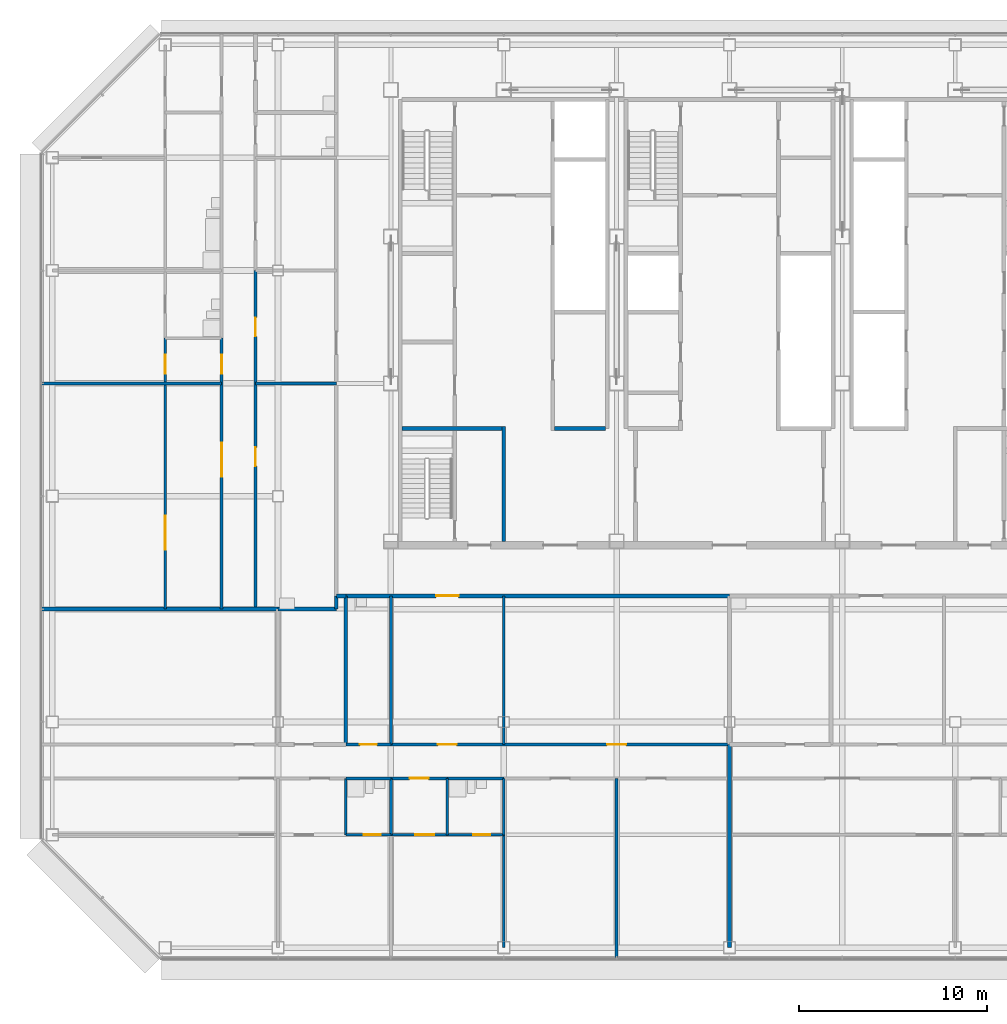
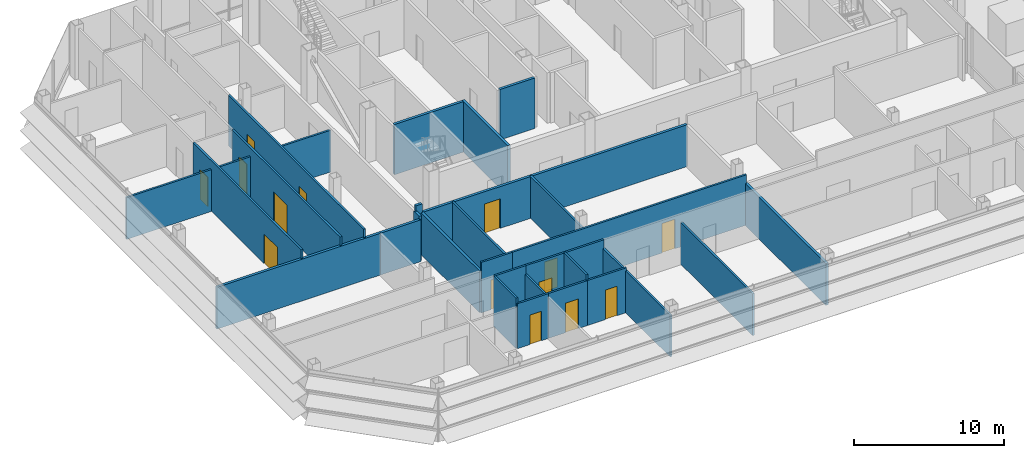
# One storey, part 22 of 30: 31 walls, 14 doors, 14 openings.
"""IFC4 building model written with IfcOpenShell, lengths in metres."""

from ifc_helpers import new_model, si_unit, direction, frame, frame_2d, origin, place, context, subcontext, project, spatial, rectangle, extrude, material, layer, layer_set, type_object, element, fill, save


model = new_model("IFC4")

# Units and contexts
model_context = context("Model", 3, precision=1e-05, world=origin(), true_north=direction((0.0, 1.0)))
body_context = subcontext(model_context, "Body", "Model", "MODEL_VIEW")
ifc_project = project(units=[si_unit("LENGTHUNIT", "METRE"), si_unit("AREAUNIT", "SQUARE_METRE"), si_unit("VOLUMEUNIT", "CUBIC_METRE"), si_unit("PLANEANGLEUNIT", "RADIAN"), si_unit("MASSUNIT", "GRAM", prefix="KILO")], contexts=[model_context])

# Site, building, storey
site_placement = place(None, origin())
site = spatial("IfcSite", under=ifc_project, at=site_placement, CompositionType="ELEMENT")
building_placement = place(site_placement, origin())
building = spatial("IfcBuilding", under=site, at=building_placement, Name="Sorahane Residences", CompositionType="ELEMENT")
storey_placement = place(building_placement, frame((0.0, 0.0, 229.800048828125)))
storey = spatial("IfcBuildingStorey", under=building, at=storey_placement, Name="L54", CompositionType="ELEMENT", Elevation=229.800048828125)

# Wall, opening, door
ifc_material_1 = material(Name="Concrete blockwork C20 wall", Category="masonry")
ifc_layer_1 = layer(ifc_material_1, 0.199951171875)
ifc_layer_set_1 = layer_set([ifc_layer_1], Name="Corridor wall 200 EI 120")
wall_type_1 = type_object("IfcWallType", Name="Corridor wall 200 EI 120", PredefinedType="SOLIDWALL", material=ifc_layer_set_1)
wall_1_placement = place(storey_placement, frame((3.60009765625, 18.699951171875, 0.0), z_axis=(0.0, 0.0, 1.0), x_axis=(1.0, 0.0, 0.0)))
wall_1 = element("IfcWall", 1, at=wall_1_placement, inside=storey, type_object=wall_type_1, Name="L54 corridor wall", PredefinedType="SOLIDWALL", context=body_context, shape_type="SweptSolid", body=[
    extrude(rectangle(XDim=20.39990234375, YDim=0.199951171875, at=frame_2d((10.199951171875, 0.0))), origin(), (0.0, 0.0, 1.0), 3.39990234375),
])
opening_1_placement = place(wall_1_placement, frame((4.800048828125, 0.0, 0.0)))
opening_1 = element("IfcOpeningElement", 2, at=opening_1_placement, cuts=wall_1, Name="Opening L54-40", PredefinedType="OPENING", context=body_context, shape_type="SweptSolid", body=[
    extrude(rectangle(XDim=1.199951171875, YDim=2.39990234375, at=frame_2d((0.60009765625, 1.199951171875))), frame((0.0, 0.10986328125, 0.0), z_axis=(0.0, -1.0, 0.0), x_axis=(1.0, 0.0, 0.0)), (0.0, 0.0, 1.0), 0.219970703125),
])
ifc_material_2 = material(Name="Timber veneered fire door", Category="wood")
door_type_1 = type_object("IfcDoorType", Name="Flat entrance door 1200x2400 FD60", OperationType="NOTDEFINED", PredefinedType="DOOR", material=ifc_material_2)
door_1_placement = place(opening_1_placement, frame((1.199951171875, 0.0, 0.0), z_axis=(0.0, 0.0, 1.0), x_axis=(-1.0, 0.0, 0.0)))
door_1 = element("IfcDoor", 3, at=door_1_placement, inside=storey, type_object=door_type_1, Name="Flat entrance door L54-40", OperationType="SINGLE_SWING_RIGHT", OverallHeight=2.39990234375, OverallWidth=1.199951171875, PredefinedType="DOOR", context=body_context, shape_type="SweptSolid", body=[
    extrude(rectangle(XDim=1.199951171875, YDim=2.39990234375, at=frame_2d((0.60009765625, 1.199951171875))), frame((0.0, 0.02490234375, 0.0), z_axis=(0.0, -1.0, 0.0), x_axis=(1.0, 0.0, 0.0)), (0.0, 0.0, 1.0), 0.050048828125),
])
fill(opening_1, door_1)

# Walls
ifc_material_3 = material(Name="Concrete C30", Category="concrete")
ifc_layer_2 = layer(ifc_material_3, 0.199951171875)
ifc_layer_set_2 = layer_set([ifc_layer_2], Name="Front room wall 200 EI 120")
wall_type_2 = type_object("IfcWallType", Name="Front room wall 200 EI 120", PredefinedType="PARTITIONING", material=ifc_layer_set_2)
wall_2_placement = place(storey_placement, frame((12.0, 21.60009765625, 0.0), z_axis=(0.0, 0.0, 1.0), x_axis=(0.0, 1.0, 0.0)))
element("IfcWall", 4, at=wall_2_placement, inside=storey, type_object=wall_type_2, Name="L54 front room wall", PredefinedType="PARTITIONING", context=body_context, shape_type="SweptSolid", body=[
    extrude(rectangle(XDim=6.099853515625, YDim=0.199951171875, at=frame_2d((3.0498046875, 0.0))), origin(), (0.0, 0.0, 1.0), 4.099853515625),
])
ifc_material_4 = material(Name="Concrete blockwork C20 wall", Category="masonry")
ifc_layer_3 = layer(ifc_material_4, 0.199951171875)
ifc_layer_set_3 = layer_set([ifc_layer_3], Name="Kitchen wall 200 EI 180")
wall_type_3 = type_object("IfcWallType", Name="Kitchen wall 200 EI 180", PredefinedType="SOLIDWALL", material=ifc_layer_set_3)
wall_3_placement = place(storey_placement, frame((3.10009765625, 18.0, 0.0), z_axis=(0.0, 0.0, 1.0), x_axis=(0.0, 1.0, 0.0)))
element("IfcWall", 5, at=wall_3_placement, inside=storey, type_object=wall_type_3, Name="L54 kitchen wall", PredefinedType="SOLIDWALL", context=body_context, shape_type="SweptSolid", body=[
    extrude(rectangle(XDim=0.699951171875, YDim=0.199951171875, at=frame_2d((0.35009765625, 0.0))), origin(), (0.0, 0.0, 1.0), 3.64990234375),
])
wall_4_placement = place(storey_placement, frame((3.60009765625, 10.800048828125, 0.0), z_axis=(0.0, 0.0, 1.0), x_axis=(0.0, 1.0, 0.0)))
element("IfcWall", 6, at=wall_4_placement, inside=storey, type_object=wall_type_3, Name="L54 kitchen wall", PredefinedType="SOLIDWALL", context=body_context, shape_type="SweptSolid", body=[
    extrude(rectangle(XDim=7.89990234375, YDim=0.199951171875, at=frame_2d((3.949951171875, 0.0))), origin(), (0.0, 0.0, 1.0), 3.39990234375),
])
wall_5_placement = place(storey_placement, frame((0.0, 18.0, 0.0), z_axis=(0.0, 0.0, 1.0), x_axis=(1.0, 0.0, 0.0)))
element("IfcWall", 7, at=wall_5_placement, inside=storey, type_object=wall_type_3, Name="L54 kitchen wall", PredefinedType="SOLIDWALL", context=body_context, shape_type="SweptSolid", body=[
    extrude(rectangle(XDim=3.10009765625, YDim=0.199951171875, at=frame_2d((1.550048828125, 0.0))), origin(), (0.0, 0.0, 1.0), 3.39990234375),
])
wall_6_placement = place(storey_placement, frame((3.10009765625, 18.699951171875, 0.0), z_axis=(0.0, 0.0, 1.0), x_axis=(1.0, 0.0, 0.0)))
element("IfcWall", 8, at=wall_6_placement, inside=storey, type_object=wall_type_3, Name="L54 kitchen wall", PredefinedType="SOLIDWALL", context=body_context, shape_type="SweptSolid", body=[
    extrude(rectangle(XDim=0.5, YDim=0.199951171875, at=frame_2d((0.25, 0.0))), origin(), (0.0, 0.0, 1.0), 4.099853515625),
])

# Wall, openings, doors
ifc_material_5 = material(Name="Gypsum board partition on steel studs", Category="steel")
ifc_layer_4 = layer(ifc_material_5, 0.14990234375)
ifc_layer_set_4 = layer_set([ifc_layer_4], Name="Partition 150 EI 90")
wall_type_4 = type_object("IfcWallType", Name="Partition 150 EI 90", PredefinedType="PARTITIONING", material=ifc_layer_set_4)
wall_7_placement = place(storey_placement, frame((-1.199951171875, 18.0, 0.0), z_axis=(0.0, 0.0, 1.0), x_axis=(0.0, 1.0, 0.0)))
wall_7 = element("IfcWall", 9, at=wall_7_placement, inside=storey, type_object=wall_type_4, Name="L54 partition", PredefinedType="PARTITIONING", context=body_context, shape_type="SweptSolid", body=[
    extrude(rectangle(XDim=18.0, YDim=0.14990234375, at=frame_2d((9.0, 0.0))), origin(), (0.0, 0.0, 1.0), 4.099853515625),
])
opening_2_placement = place(wall_7_placement, frame((14.5, 0.0, 0.0)))
opening_2 = element("IfcOpeningElement", 10, at=opening_2_placement, cuts=wall_7, Name="Opening L54-26", PredefinedType="OPENING", context=body_context, shape_type="SweptSolid", body=[
    extrude(rectangle(XDim=1.0, YDim=2.39990234375, at=frame_2d((0.5, 1.199951171875))), frame((0.0, 0.0849609375, 0.0), z_axis=(0.0, -1.0, 0.0), x_axis=(1.0, 0.0, 0.0)), (0.0, 0.0, 1.0), 0.169921875),
])
opening_3_placement = place(wall_7_placement, frame((7.60009765625, 0.0, 0.0)))
opening_3 = element("IfcOpeningElement", 11, at=opening_3_placement, cuts=wall_7, Name="Opening L54-27", PredefinedType="OPENING", context=body_context, shape_type="SweptSolid", body=[
    extrude(rectangle(XDim=1.0, YDim=2.39990234375, at=frame_2d((0.5, 1.199951171875))), frame((0.0, 0.0849609375, 0.0), z_axis=(0.0, -1.0, 0.0), x_axis=(1.0, 0.0, 0.0)), (0.0, 0.0, 1.0), 0.169921875),
])
ifc_material_6 = material(Name="Timber veneered fire door", Category="wood")
door_type_2 = type_object("IfcDoorType", Name="Room door 1000x2400 FD30", OperationType="NOTDEFINED", PredefinedType="DOOR", material=ifc_material_6)
door_2_placement = place(opening_2_placement, origin())
door_2 = element("IfcDoor", 12, at=door_2_placement, inside=storey, type_object=door_type_2, Name="Room door L54-26", OperationType="SINGLE_SWING_RIGHT", OverallHeight=2.39990234375, OverallWidth=1.0, PredefinedType="DOOR", context=body_context, shape_type="SweptSolid", body=[
    extrude(rectangle(XDim=1.0, YDim=2.39990234375, at=frame_2d((0.5, 1.199951171875))), frame((0.0, 0.02490234375, 0.0), z_axis=(0.0, -1.0, 0.0), x_axis=(1.0, 0.0, 0.0)), (0.0, 0.0, 1.0), 0.050048828125),
])
fill(opening_2, door_2)
door_3_placement = place(opening_3_placement, frame((1.0, 0.0, 0.0), z_axis=(0.0, 0.0, 1.0), x_axis=(-1.0, 0.0, 0.0)))
door_3 = element("IfcDoor", 13, at=door_3_placement, inside=storey, type_object=door_type_2, Name="Room door L54-27", OperationType="SINGLE_SWING_RIGHT", OverallHeight=2.39990234375, OverallWidth=1.0, PredefinedType="DOOR", context=body_context, shape_type="SweptSolid", body=[
    extrude(rectangle(XDim=1.0, YDim=2.39990234375, at=frame_2d((0.5, 1.199951171875))), frame((0.0, 0.02490234375, 0.0), z_axis=(0.0, -1.0, 0.0), x_axis=(1.0, 0.0, 0.0)), (0.0, 0.0, 1.0), 0.050048828125),
])
fill(opening_3, door_3)

wall_8_placement = place(storey_placement, frame((-3.0, 18.0, 0.0), z_axis=(0.0, 0.0, 1.0), x_axis=(0.0, 1.0, 0.0)))
wall_8 = element("IfcWall", 14, at=wall_8_placement, inside=storey, type_object=wall_type_4, Name="L54 partition", PredefinedType="PARTITIONING", context=body_context, shape_type="SweptSolid", body=[
    extrude(rectangle(XDim=14.39990234375, YDim=0.14990234375, at=frame_2d((7.199951171875, 0.0))), origin(), (0.0, 0.0, 1.0), 4.099853515625),
])
opening_4_placement = place(wall_8_placement, frame((7.0400390625, 0.0, 0.0)))
opening_4 = element("IfcOpeningElement", 15, at=opening_4_placement, cuts=wall_8, Name="Opening L54-31", PredefinedType="OPENING", context=body_context, shape_type="SweptSolid", body=[
    extrude(rectangle(XDim=1.800048828125, YDim=2.39990234375, at=frame_2d((0.89990234375, 1.199951171875))), frame((0.0, 0.0849609375, 0.0), z_axis=(0.0, -1.0, 0.0), x_axis=(1.0, 0.0, 0.0)), (0.0, 0.0, 1.0), 0.169921875),
])
opening_5_placement = place(wall_8_placement, frame((12.52001953125, 0.0, 0.0)))
opening_5 = element("IfcOpeningElement", 16, at=opening_5_placement, cuts=wall_8, Name="Opening L54-32", PredefinedType="OPENING", context=body_context, shape_type="SweptSolid", body=[
    extrude(rectangle(XDim=1.0, YDim=2.39990234375, at=frame_2d((0.5, 1.199951171875))), frame((0.0, 0.0849609375, 0.0), z_axis=(0.0, -1.0, 0.0), x_axis=(1.0, 0.0, 0.0)), (0.0, 0.0, 1.0), 0.169921875),
])
ifc_material_7 = material(Name="Timber veneered fire door", Category="wood")
door_type_3 = type_object("IfcDoorType", Name="Double door 1800x2400 FD30", OperationType="NOTDEFINED", PredefinedType="DOOR", material=ifc_material_7)
door_4_placement = place(opening_4_placement, origin())
door_4 = element("IfcDoor", 17, at=door_4_placement, inside=storey, type_object=door_type_3, Name="Double door L54-31", OperationType="SINGLE_SWING_LEFT", OverallHeight=2.39990234375, OverallWidth=1.800048828125, PredefinedType="DOOR", context=body_context, shape_type="SweptSolid", body=[
    extrude(rectangle(XDim=1.800048828125, YDim=2.39990234375, at=frame_2d((0.89990234375, 1.199951171875))), frame((0.0, 0.02490234375, 0.0), z_axis=(0.0, -1.0, 0.0), x_axis=(1.0, 0.0, 0.0)), (0.0, 0.0, 1.0), 0.050048828125),
])
fill(opening_4, door_4)
door_5_placement = place(opening_5_placement, origin())
door_5 = element("IfcDoor", 18, at=door_5_placement, inside=storey, type_object=door_type_2, Name="Room door L54-32", OperationType="SINGLE_SWING_LEFT", OverallHeight=2.39990234375, OverallWidth=1.0, PredefinedType="DOOR", context=body_context, shape_type="SweptSolid", body=[
    extrude(rectangle(XDim=1.0, YDim=2.39990234375, at=frame_2d((0.5, 1.199951171875))), frame((0.0, 0.02490234375, 0.0), z_axis=(0.0, -1.0, 0.0), x_axis=(1.0, 0.0, 0.0)), (0.0, 0.0, 1.0), 0.050048828125),
])
fill(opening_5, door_5)

wall_9_placement = place(storey_placement, frame((-6.0, 18.0, 0.0), z_axis=(0.0, 0.0, 1.0), x_axis=(0.0, 1.0, 0.0)))
wall_9 = element("IfcWall", 19, at=wall_9_placement, inside=storey, type_object=wall_type_4, Name="L54 partition", PredefinedType="PARTITIONING", context=body_context, shape_type="SweptSolid", body=[
    extrude(rectangle(XDim=14.39990234375, YDim=0.14990234375, at=frame_2d((7.199951171875, 0.0))), origin(), (0.0, 0.0, 1.0), 4.099853515625),
])
opening_6_placement = place(wall_9_placement, frame((3.159912109375, 0.0, 0.0)))
opening_6 = element("IfcOpeningElement", 20, at=opening_6_placement, cuts=wall_9, Name="Opening L54-34", PredefinedType="OPENING", context=body_context, shape_type="SweptSolid", body=[
    extrude(rectangle(XDim=1.800048828125, YDim=2.39990234375, at=frame_2d((0.89990234375, 1.199951171875))), frame((0.0, 0.0849609375, 0.0), z_axis=(0.0, -1.0, 0.0), x_axis=(1.0, 0.0, 0.0)), (0.0, 0.0, 1.0), 0.169921875),
])
opening_7_placement = place(wall_9_placement, frame((12.52001953125, 0.0, 0.0)))
opening_7 = element("IfcOpeningElement", 21, at=opening_7_placement, cuts=wall_9, Name="Opening L54-35", PredefinedType="OPENING", context=body_context, shape_type="SweptSolid", body=[
    extrude(rectangle(XDim=1.0, YDim=2.39990234375, at=frame_2d((0.5, 1.199951171875))), frame((0.0, 0.0849609375, 0.0), z_axis=(0.0, -1.0, 0.0), x_axis=(1.0, 0.0, 0.0)), (0.0, 0.0, 1.0), 0.169921875),
])
door_6_placement = place(opening_6_placement, origin())
door_6 = element("IfcDoor", 22, at=door_6_placement, inside=storey, type_object=door_type_3, Name="Double door L54-34", OperationType="SINGLE_SWING_RIGHT", OverallHeight=2.39990234375, OverallWidth=1.800048828125, PredefinedType="DOOR", context=body_context, shape_type="SweptSolid", body=[
    extrude(rectangle(XDim=1.800048828125, YDim=2.39990234375, at=frame_2d((0.89990234375, 1.199951171875))), frame((0.0, 0.02490234375, 0.0), z_axis=(0.0, -1.0, 0.0), x_axis=(1.0, 0.0, 0.0)), (0.0, 0.0, 1.0), 0.050048828125),
])
fill(opening_6, door_6)
door_7_placement = place(opening_7_placement, origin())
door_7 = element("IfcDoor", 23, at=door_7_placement, inside=storey, type_object=door_type_2, Name="Room door L54-35", OperationType="SINGLE_SWING_LEFT", OverallHeight=2.39990234375, OverallWidth=1.0, PredefinedType="DOOR", context=body_context, shape_type="SweptSolid", body=[
    extrude(rectangle(XDim=1.0, YDim=2.39990234375, at=frame_2d((0.5, 1.199951171875))), frame((0.0, 0.02490234375, 0.0), z_axis=(0.0, -1.0, 0.0), x_axis=(1.0, 0.0, 0.0)), (0.0, 0.0, 1.0), 0.050048828125),
])
fill(opening_7, door_7)

# Walls
wall_10_placement = place(storey_placement, frame((12.0, 0.0, 0.0), z_axis=(0.0, 0.0, 1.0), x_axis=(0.0, 1.0, 0.0)))
element("IfcWall", 24, at=wall_10_placement, inside=storey, type_object=wall_type_4, Name="L54 partition", PredefinedType="PARTITIONING", context=body_context, shape_type="SweptSolid", body=[
    extrude(rectangle(XDim=6.0, YDim=0.14990234375, at=frame_2d((3.0, 0.0))), origin(), (0.0, 0.0, 1.0), 3.39990234375),
])
wall_11_placement = place(storey_placement, frame((12.0, 10.800048828125, 0.0), z_axis=(0.0, 0.0, 1.0), x_axis=(0.0, 1.0, 0.0)))
element("IfcWall", 25, at=wall_11_placement, inside=storey, type_object=wall_type_4, Name="L54 partition", PredefinedType="PARTITIONING", context=body_context, shape_type="SweptSolid", body=[
    extrude(rectangle(XDim=7.89990234375, YDim=0.14990234375, at=frame_2d((3.949951171875, 0.0))), origin(), (0.0, 0.0, 1.0), 3.39990234375),
])
wall_12_placement = place(storey_placement, frame((18.0, -0.60009765625, 0.0), z_axis=(0.0, 0.0, 1.0), x_axis=(0.0, 1.0, 0.0)))
element("IfcWall", 26, at=wall_12_placement, inside=storey, type_object=wall_type_4, Name="L54 partition", PredefinedType="PARTITIONING", context=body_context, shape_type="SweptSolid", body=[
    extrude(rectangle(XDim=9.60009765625, YDim=0.14990234375, at=frame_2d((4.800048828125, 0.0))), origin(), (0.0, 0.0, 1.0), 3.39990234375),
])

# Wall, openings, doors
wall_13_placement = place(storey_placement, frame((6.0, 10.800048828125, 0.0), z_axis=(0.0, 0.0, 1.0), x_axis=(1.0, 0.0, 0.0)))
wall_13 = element("IfcWall", 27, at=wall_13_placement, inside=storey, type_object=wall_type_4, Name="L54 partition", PredefinedType="PARTITIONING", context=body_context, shape_type="SweptSolid", body=[
    extrude(rectangle(XDim=18.0, YDim=0.14990234375, at=frame_2d((9.0, 0.0))), origin(), (0.0, 0.0, 1.0), 4.099853515625),
])
opening_8_placement = place(wall_13_placement, frame((2.5, 0.0, 0.0)))
opening_8 = element("IfcOpeningElement", 28, at=opening_8_placement, cuts=wall_13, Name="Opening L54-01", PredefinedType="OPENING", context=body_context, shape_type="SweptSolid", body=[
    extrude(rectangle(XDim=1.0, YDim=2.39990234375, at=frame_2d((0.5, 1.199951171875))), frame((0.0, 0.0849609375, 0.0), z_axis=(0.0, -1.0, 0.0), x_axis=(1.0, 0.0, 0.0)), (0.0, 0.0, 1.0), 0.169921875),
])
opening_9_placement = place(wall_13_placement, frame((11.5, 0.0, 0.0)))
opening_9 = element("IfcOpeningElement", 29, at=opening_9_placement, cuts=wall_13, Name="Opening L54-05", PredefinedType="OPENING", context=body_context, shape_type="SweptSolid", body=[
    extrude(rectangle(XDim=1.0, YDim=2.39990234375, at=frame_2d((0.5, 1.199951171875))), frame((0.0, 0.0849609375, 0.0), z_axis=(0.0, -1.0, 0.0), x_axis=(1.0, 0.0, 0.0)), (0.0, 0.0, 1.0), 0.169921875),
])
door_8_placement = place(opening_8_placement, frame((1.0, 0.0, 0.0), z_axis=(0.0, 0.0, 1.0), x_axis=(-1.0, 0.0, 0.0)))
door_8 = element("IfcDoor", 30, at=door_8_placement, inside=storey, type_object=door_type_2, Name="Room door L54-01", OperationType="SINGLE_SWING_LEFT", OverallHeight=2.39990234375, OverallWidth=1.0, PredefinedType="DOOR", context=body_context, shape_type="SweptSolid", body=[
    extrude(rectangle(XDim=1.0, YDim=2.39990234375, at=frame_2d((0.5, 1.199951171875))), frame((0.0, 0.02490234375, 0.0), z_axis=(0.0, -1.0, 0.0), x_axis=(1.0, 0.0, 0.0)), (0.0, 0.0, 1.0), 0.050048828125),
])
fill(opening_8, door_8)
door_9_placement = place(opening_9_placement, origin())
door_9 = element("IfcDoor", 31, at=door_9_placement, inside=storey, type_object=door_type_2, Name="Room door L54-05", OperationType="SINGLE_SWING_LEFT", OverallHeight=2.39990234375, OverallWidth=1.0, PredefinedType="DOOR", context=body_context, shape_type="SweptSolid", body=[
    extrude(rectangle(XDim=1.0, YDim=2.39990234375, at=frame_2d((0.5, 1.199951171875))), frame((0.0, 0.02490234375, 0.0), z_axis=(0.0, -1.0, 0.0), x_axis=(1.0, 0.0, 0.0)), (0.0, 0.0, 1.0), 0.050048828125),
])
fill(opening_9, door_9)

# Walls
wall_14_placement = place(storey_placement, frame((-12.60009765625, 30.0, 0.0), z_axis=(0.0, 0.0, 1.0), x_axis=(1.0, 0.0, 0.0)))
element("IfcWall", 32, at=wall_14_placement, inside=storey, type_object=wall_type_4, Name="L54 partition", PredefinedType="PARTITIONING", context=body_context, shape_type="SweptSolid", body=[
    extrude(rectangle(XDim=9.60009765625, YDim=0.14990234375, at=frame_2d((4.800048828125, 0.0))), origin(), (0.0, 0.0, 1.0), 3.39990234375),
])
wall_15_placement = place(storey_placement, frame((-1.199951171875, 30.0, 0.0), z_axis=(0.0, 0.0, 1.0), x_axis=(1.0, 0.0, 0.0)))
element("IfcWall", 33, at=wall_15_placement, inside=storey, type_object=wall_type_4, Name="L54 partition", PredefinedType="PARTITIONING", context=body_context, shape_type="SweptSolid", body=[
    extrude(rectangle(XDim=4.300048828125, YDim=0.14990234375, at=frame_2d((2.14990234375, 0.0))), origin(), (0.0, 0.0, 1.0), 3.39990234375),
])

# Wall, opening, door
wall_16_placement = place(storey_placement, frame((6.0, 6.0, 0.0), z_axis=(0.0, 0.0, 1.0), x_axis=(1.0, 0.0, 0.0)))
wall_16 = element("IfcWall", 34, at=wall_16_placement, inside=storey, type_object=wall_type_4, Name="L54 partition", PredefinedType="PARTITIONING", context=body_context, shape_type="SweptSolid", body=[
    extrude(rectangle(XDim=3.0, YDim=0.14990234375, at=frame_2d((1.5, 0.0))), origin(), (0.0, 0.0, 1.0), 3.64990234375),
])
opening_10_placement = place(wall_16_placement, frame((1.300048828125, 0.0, 0.0)))
opening_10 = element("IfcOpeningElement", 35, at=opening_10_placement, cuts=wall_16, Name="Opening L54-14", PredefinedType="OPENING", context=body_context, shape_type="SweptSolid", body=[
    extrude(rectangle(XDim=1.0, YDim=2.39990234375, at=frame_2d((0.5, 1.199951171875))), frame((0.0, 0.0849609375, 0.0), z_axis=(0.0, -1.0, 0.0), x_axis=(1.0, 0.0, 0.0)), (0.0, 0.0, 1.0), 0.169921875),
])
door_10_placement = place(opening_10_placement, frame((1.0, 0.0, 0.0), z_axis=(0.0, 0.0, 1.0), x_axis=(-1.0, 0.0, 0.0)))
door_10 = element("IfcDoor", 36, at=door_10_placement, inside=storey, type_object=door_type_2, Name="Room door L54-14", OperationType="SINGLE_SWING_LEFT", OverallHeight=2.39990234375, OverallWidth=1.0, PredefinedType="DOOR", context=body_context, shape_type="SweptSolid", body=[
    extrude(rectangle(XDim=1.0, YDim=2.39990234375, at=frame_2d((0.5, 1.199951171875))), frame((0.0, 0.02490234375, 0.0), z_axis=(0.0, -1.0, 0.0), x_axis=(1.0, 0.0, 0.0)), (0.0, 0.0, 1.0), 0.050048828125),
])
fill(opening_10, door_10)

wall_17_placement = place(storey_placement, frame((6.0, 9.0, 0.0), z_axis=(0.0, 0.0, 1.0), x_axis=(1.0, 0.0, 0.0)))
wall_17 = element("IfcWall", 37, at=wall_17_placement, inside=storey, type_object=wall_type_4, Name="L54 partition", PredefinedType="PARTITIONING", context=body_context, shape_type="SweptSolid", body=[
    extrude(rectangle(XDim=3.0, YDim=0.14990234375, at=frame_2d((1.5, 0.0))), origin(), (0.0, 0.0, 1.0), 4.099853515625),
])
opening_11_placement = place(wall_17_placement, frame((1.0, 0.0, 0.0)))
opening_11 = element("IfcOpeningElement", 38, at=opening_11_placement, cuts=wall_17, Name="Opening L54-08", PredefinedType="OPENING", context=body_context, shape_type="SweptSolid", body=[
    extrude(rectangle(XDim=1.0, YDim=2.39990234375, at=frame_2d((0.5, 1.199951171875))), frame((0.0, 0.0849609375, 0.0), z_axis=(0.0, -1.0, 0.0), x_axis=(1.0, 0.0, 0.0)), (0.0, 0.0, 1.0), 0.169921875),
])
door_11_placement = place(opening_11_placement, frame((1.0, 0.0, 0.0), z_axis=(0.0, 0.0, 1.0), x_axis=(-1.0, 0.0, 0.0)))
door_11 = element("IfcDoor", 39, at=door_11_placement, inside=storey, type_object=door_type_2, Name="Room door L54-08", OperationType="SINGLE_SWING_LEFT", OverallHeight=2.39990234375, OverallWidth=1.0, PredefinedType="DOOR", context=body_context, shape_type="SweptSolid", body=[
    extrude(rectangle(XDim=1.0, YDim=2.39990234375, at=frame_2d((0.5, 1.199951171875))), frame((0.0, 0.02490234375, 0.0), z_axis=(0.0, -1.0, 0.0), x_axis=(1.0, 0.0, 0.0)), (0.0, 0.0, 1.0), 0.050048828125),
])
fill(opening_11, door_11)

# Walls
ifc_material_8 = material(Name="Concrete blockwork C20 wall", Category="masonry")
ifc_layer_5 = layer(ifc_material_8, 0.199951171875)
ifc_layer_set_5 = layer_set([ifc_layer_5], Name="Party wall 200 EI 120")
wall_type_5 = type_object("IfcWallType", Name="Party wall 200 EI 120", PredefinedType="SOLIDWALL", material=ifc_layer_set_5)
wall_18_placement = place(storey_placement, frame((24.0, 0.0, 0.0), z_axis=(0.0, 0.0, 1.0), x_axis=(0.0, 1.0, 0.0)))
element("IfcWall", 40, at=wall_18_placement, inside=storey, type_object=wall_type_5, Name="L54 party wall", PredefinedType="SOLIDWALL", context=body_context, shape_type="SweptSolid", body=[
    extrude(rectangle(XDim=10.800048828125, YDim=0.199951171875, at=frame_2d((5.39990234375, 0.0))), origin(), (0.0, 0.0, 1.0), 3.39990234375),
])
wall_19_placement = place(storey_placement, frame((-12.60009765625, 18.0, 0.0), z_axis=(0.0, 0.0, 1.0), x_axis=(1.0, 0.0, 0.0)))
element("IfcWall", 41, at=wall_19_placement, inside=storey, type_object=wall_type_5, Name="L54 party wall", PredefinedType="SOLIDWALL", context=body_context, shape_type="SweptSolid", body=[
    extrude(rectangle(XDim=12.60009765625, YDim=0.199951171875, at=frame_2d((6.300048828125, 0.0))), origin(), (0.0, 0.0, 1.0), 3.39990234375),
])
ifc_material_9 = material(Name="Concrete C30", Category="concrete")
ifc_layer_6 = layer(ifc_material_9, 0.199951171875)
ifc_layer_set_6 = layer_set([ifc_layer_6], Name="Service room partition 200 EI 60")
wall_type_6 = type_object("IfcWallType", Name="Service room partition 200 EI 60", PredefinedType="PARTITIONING", material=ifc_layer_set_6)
wall_20_placement = place(storey_placement, frame((14.699951171875, 27.60009765625, 0.0), z_axis=(0.0, 0.0, 1.0), x_axis=(1.0, 0.0, 0.0)))
element("IfcWall", 42, at=wall_20_placement, inside=storey, type_object=wall_type_6, Name="L54 service room wall", PredefinedType="PARTITIONING", context=body_context, shape_type="SweptSolid", body=[
    extrude(rectangle(XDim=2.699951171875, YDim=0.199951171875, at=frame_2d((1.35009765625, 0.0))), origin(), (0.0, 0.0, 1.0), 4.099853515625),
])
ifc_material_10 = material(Name="Concrete C30", Category="concrete")
ifc_layer_7 = layer(ifc_material_10, 0.199951171875)
ifc_layer_set_7 = layer_set([ifc_layer_7], Name="Stair enclosure wall 200 EI 120")
wall_type_7 = type_object("IfcWallType", Name="Stair enclosure wall 200 EI 120", PredefinedType="SOLIDWALL", material=ifc_layer_set_7)
wall_21_placement = place(storey_placement, frame((6.60009765625, 27.60009765625, 0.0), z_axis=(0.0, 0.0, 1.0), x_axis=(1.0, 0.0, 0.0)))
element("IfcWall", 43, at=wall_21_placement, inside=storey, type_object=wall_type_7, Name="L54 stair enclosure wall", PredefinedType="SOLIDWALL", context=body_context, shape_type="SweptSolid", body=[
    extrude(rectangle(XDim=5.2998046875, YDim=0.199951171875, at=frame_2d((2.64990234375, 0.0))), origin(), (0.0, 0.0, 1.0), 4.099853515625),
])
ifc_material_11 = material(Name="Gypsum board partition on steel studs", Category="steel")
ifc_layer_8 = layer(ifc_material_11, 0.14990234375)
ifc_layer_set_8 = layer_set([ifc_layer_8], Name="Wet wall 150 EI 90")
wall_type_8 = type_object("IfcWallType", Name="Wet wall 150 EI 90", PredefinedType="PARTITIONING", material=ifc_layer_set_8)
wall_22_placement = place(storey_placement, frame((12.0, 6.0, 0.0), z_axis=(0.0, 0.0, 1.0), x_axis=(0.0, 1.0, 0.0)))
element("IfcWall", 44, at=wall_22_placement, inside=storey, type_object=wall_type_8, Name="L54 wet wall", PredefinedType="PARTITIONING", context=body_context, shape_type="SweptSolid", body=[
    extrude(rectangle(XDim=3.0, YDim=0.14990234375, at=frame_2d((1.5, 0.0))), origin(), (0.0, 0.0, 1.0), 3.39990234375),
])
wall_23_placement = place(storey_placement, frame((3.60009765625, 6.0, 0.0), z_axis=(0.0, 0.0, 1.0), x_axis=(0.0, 1.0, 0.0)))
element("IfcWall", 45, at=wall_23_placement, inside=storey, type_object=wall_type_8, Name="L54 wet wall", PredefinedType="PARTITIONING", context=body_context, shape_type="SweptSolid", body=[
    extrude(rectangle(XDim=3.0, YDim=0.14990234375, at=frame_2d((1.5, 0.0))), origin(), (0.0, 0.0, 1.0), 4.099853515625),
])
wall_24_placement = place(storey_placement, frame((6.0, 6.0, 0.0), z_axis=(0.0, 0.0, 1.0), x_axis=(0.0, 1.0, 0.0)))
element("IfcWall", 46, at=wall_24_placement, inside=storey, type_object=wall_type_8, Name="L54 wet wall", PredefinedType="PARTITIONING", context=body_context, shape_type="SweptSolid", body=[
    extrude(rectangle(XDim=3.0, YDim=0.14990234375, at=frame_2d((1.5, 0.0))), origin(), (0.0, 0.0, 1.0), 3.39990234375),
])
wall_25_placement = place(storey_placement, frame((6.0, 10.800048828125, 0.0), z_axis=(0.0, 0.0, 1.0), x_axis=(0.0, 1.0, 0.0)))
element("IfcWall", 47, at=wall_25_placement, inside=storey, type_object=wall_type_8, Name="L54 wet wall", PredefinedType="PARTITIONING", context=body_context, shape_type="SweptSolid", body=[
    extrude(rectangle(XDim=7.89990234375, YDim=0.14990234375, at=frame_2d((3.949951171875, 0.0))), origin(), (0.0, 0.0, 1.0), 3.39990234375),
])
wall_26_placement = place(storey_placement, frame((9.0, 6.0, 0.0), z_axis=(0.0, 0.0, 1.0), x_axis=(0.0, 1.0, 0.0)))
element("IfcWall", 48, at=wall_26_placement, inside=storey, type_object=wall_type_8, Name="L54 wet wall", PredefinedType="PARTITIONING", context=body_context, shape_type="SweptSolid", body=[
    extrude(rectangle(XDim=3.0, YDim=0.14990234375, at=frame_2d((1.5, 0.0))), origin(), (0.0, 0.0, 1.0), 4.099853515625),
])

# Wall, opening, door
wall_27_placement = place(storey_placement, frame((3.60009765625, 10.800048828125, 0.0), z_axis=(0.0, 0.0, 1.0), x_axis=(1.0, 0.0, 0.0)))
wall_27 = element("IfcWall", 49, at=wall_27_placement, inside=storey, type_object=wall_type_8, Name="L54 wet wall", PredefinedType="PARTITIONING", context=body_context, shape_type="SweptSolid", body=[
    extrude(rectangle(XDim=2.39990234375, YDim=0.14990234375, at=frame_2d((1.199951171875, 0.0))), origin(), (0.0, 0.0, 1.0), 4.099853515625),
])
opening_12_placement = place(wall_27_placement, frame((0.75, 0.0, 0.0)))
opening_12 = element("IfcOpeningElement", 50, at=opening_12_placement, cuts=wall_27, Name="Opening L54-04", PredefinedType="OPENING", context=body_context, shape_type="SweptSolid", body=[
    extrude(rectangle(XDim=0.89990234375, YDim=2.39990234375, at=frame_2d((0.449951171875, 1.199951171875))), frame((0.0, 0.0849609375, 0.0), z_axis=(0.0, -1.0, 0.0), x_axis=(1.0, 0.0, 0.0)), (0.0, 0.0, 1.0), 0.169921875),
])
ifc_material_12 = material(Name="Timber veneered fire door", Category="wood")
door_type_4 = type_object("IfcDoorType", Name="Bathroom door 900x2400 FD30", OperationType="NOTDEFINED", PredefinedType="DOOR", material=ifc_material_12)
door_12_placement = place(opening_12_placement, frame((0.89990234375, 0.0, 0.0), z_axis=(0.0, 0.0, 1.0), x_axis=(-1.0, 0.0, 0.0)))
door_12 = element("IfcDoor", 51, at=door_12_placement, inside=storey, type_object=door_type_4, Name="Bathroom door L54-04", OperationType="SINGLE_SWING_LEFT", OverallHeight=2.39990234375, OverallWidth=0.89990234375, PredefinedType="DOOR", context=body_context, shape_type="SweptSolid", body=[
    extrude(rectangle(XDim=0.89990234375, YDim=2.39990234375, at=frame_2d((0.449951171875, 1.199951171875))), frame((0.0, 0.02490234375, 0.0), z_axis=(0.0, -1.0, 0.0), x_axis=(1.0, 0.0, 0.0)), (0.0, 0.0, 1.0), 0.050048828125),
])
fill(opening_12, door_12)

wall_28_placement = place(storey_placement, frame((3.60009765625, 6.0, 0.0), z_axis=(0.0, 0.0, 1.0), x_axis=(1.0, 0.0, 0.0)))
wall_28 = element("IfcWall", 52, at=wall_28_placement, inside=storey, type_object=wall_type_8, Name="L54 wet wall", PredefinedType="PARTITIONING", context=body_context, shape_type="SweptSolid", body=[
    extrude(rectangle(XDim=2.39990234375, YDim=0.14990234375, at=frame_2d((1.199951171875, 0.0))), origin(), (0.0, 0.0, 1.0), 3.64990234375),
])
opening_13_placement = place(wall_28_placement, frame((0.949951171875, 0.0, 0.0)))
opening_13 = element("IfcOpeningElement", 53, at=opening_13_placement, cuts=wall_28, Name="Opening L54-13", PredefinedType="OPENING", context=body_context, shape_type="SweptSolid", body=[
    extrude(rectangle(XDim=0.89990234375, YDim=2.39990234375, at=frame_2d((0.449951171875, 1.199951171875))), frame((0.0, 0.0849609375, 0.0), z_axis=(0.0, -1.0, 0.0), x_axis=(1.0, 0.0, 0.0)), (0.0, 0.0, 1.0), 0.169921875),
])
door_13_placement = place(opening_13_placement, frame((0.89990234375, 0.0, 0.0), z_axis=(0.0, 0.0, 1.0), x_axis=(-1.0, 0.0, 0.0)))
door_13 = element("IfcDoor", 54, at=door_13_placement, inside=storey, type_object=door_type_4, Name="Bathroom door L54-13", OperationType="SINGLE_SWING_RIGHT", OverallHeight=2.39990234375, OverallWidth=0.89990234375, PredefinedType="DOOR", context=body_context, shape_type="SweptSolid", body=[
    extrude(rectangle(XDim=0.89990234375, YDim=2.39990234375, at=frame_2d((0.449951171875, 1.199951171875))), frame((0.0, 0.02490234375, 0.0), z_axis=(0.0, -1.0, 0.0), x_axis=(1.0, 0.0, 0.0)), (0.0, 0.0, 1.0), 0.050048828125),
])
fill(opening_13, door_13)

wall_29_placement = place(storey_placement, frame((9.0, 6.0, 0.0), z_axis=(0.0, 0.0, 1.0), x_axis=(1.0, 0.0, 0.0)))
wall_29 = element("IfcWall", 55, at=wall_29_placement, inside=storey, type_object=wall_type_8, Name="L54 wet wall", PredefinedType="PARTITIONING", context=body_context, shape_type="SweptSolid", body=[
    extrude(rectangle(XDim=3.0, YDim=0.14990234375, at=frame_2d((1.5, 0.0))), origin(), (0.0, 0.0, 1.0), 3.64990234375),
])
opening_14_placement = place(wall_29_placement, frame((1.3701171875, 0.0, 0.0)))
opening_14 = element("IfcOpeningElement", 56, at=opening_14_placement, cuts=wall_29, Name="Opening L54-15", PredefinedType="OPENING", context=body_context, shape_type="SweptSolid", body=[
    extrude(rectangle(XDim=0.89990234375, YDim=2.39990234375, at=frame_2d((0.449951171875, 1.199951171875))), frame((0.0, 0.0849609375, 0.0), z_axis=(0.0, -1.0, 0.0), x_axis=(1.0, 0.0, 0.0)), (0.0, 0.0, 1.0), 0.169921875),
])
door_14_placement = place(opening_14_placement, frame((0.89990234375, 0.0, 0.0), z_axis=(0.0, 0.0, 1.0), x_axis=(-1.0, 0.0, 0.0)))
door_14 = element("IfcDoor", 57, at=door_14_placement, inside=storey, type_object=door_type_4, Name="Bathroom door L54-15", OperationType="SINGLE_SWING_LEFT", OverallHeight=2.39990234375, OverallWidth=0.89990234375, PredefinedType="DOOR", context=body_context, shape_type="SweptSolid", body=[
    extrude(rectangle(XDim=0.89990234375, YDim=2.39990234375, at=frame_2d((0.449951171875, 1.199951171875))), frame((0.0, 0.02490234375, 0.0), z_axis=(0.0, -1.0, 0.0), x_axis=(1.0, 0.0, 0.0)), (0.0, 0.0, 1.0), 0.050048828125),
])
fill(opening_14, door_14)

# Walls
wall_30_placement = place(storey_placement, frame((3.60009765625, 9.0, 0.0), z_axis=(0.0, 0.0, 1.0), x_axis=(1.0, 0.0, 0.0)))
element("IfcWall", 58, at=wall_30_placement, inside=storey, type_object=wall_type_8, Name="L54 wet wall", PredefinedType="PARTITIONING", context=body_context, shape_type="SweptSolid", body=[
    extrude(rectangle(XDim=2.39990234375, YDim=0.14990234375, at=frame_2d((1.199951171875, 0.0))), origin(), (0.0, 0.0, 1.0), 4.099853515625),
])
wall_31_placement = place(storey_placement, frame((9.0, 9.0, 0.0), z_axis=(0.0, 0.0, 1.0), x_axis=(1.0, 0.0, 0.0)))
element("IfcWall", 59, at=wall_31_placement, inside=storey, type_object=wall_type_8, Name="L54 wet wall", PredefinedType="PARTITIONING", context=body_context, shape_type="SweptSolid", body=[
    extrude(rectangle(XDim=3.0, YDim=0.14990234375, at=frame_2d((1.5, 0.0))), origin(), (0.0, 0.0, 1.0), 4.099853515625),
])

save(model, "model.ifc")
